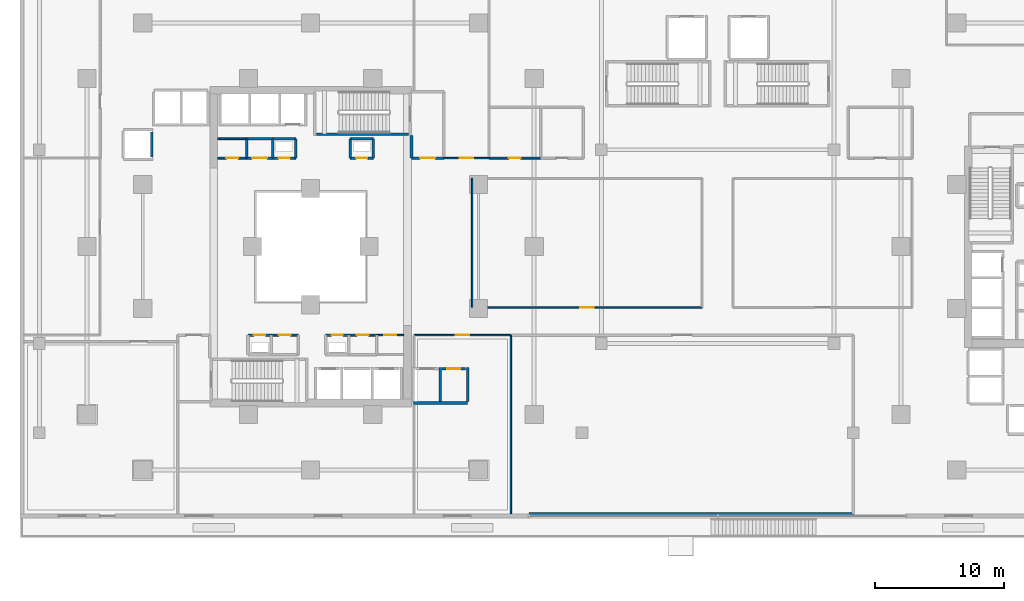
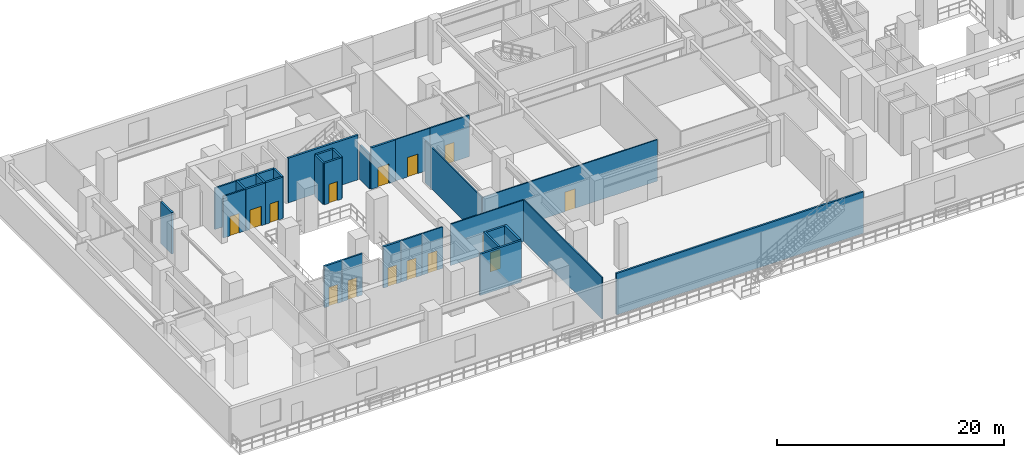
# One storey, part 12 of 22: 33 walls, 15 doors, 15 openings.
"""IFC4 building model written with IfcOpenShell, lengths in metres."""

from ifc_helpers import new_model, si_unit, direction, frame, frame_2d, origin, place, context, subcontext, project, spatial, rectangle, extrude, material, layer, layer_set, type_object, element, fill, save


model = new_model("IFC4")

# Units and contexts
model_context = context("Model", 3, precision=1e-05, world=origin(), true_north=direction((0.0, 1.0)))
body_context = subcontext(model_context, "Body", "Model", "MODEL_VIEW")
ifc_project = project(units=[si_unit("LENGTHUNIT", "METRE"), si_unit("AREAUNIT", "SQUARE_METRE"), si_unit("VOLUMEUNIT", "CUBIC_METRE"), si_unit("PLANEANGLEUNIT", "RADIAN"), si_unit("MASSUNIT", "GRAM", prefix="KILO")], contexts=[model_context])

# Site, building, storey
site_placement = place(None, origin())
site = spatial("IfcSite", under=ifc_project, at=site_placement, CompositionType="ELEMENT")
building_placement = place(site_placement, origin())
building = spatial("IfcBuilding", under=site, at=building_placement, Name="Thornwick Lancets Civic Towers", CompositionType="ELEMENT")
storey_placement = place(building_placement, frame((0.0, 0.0, 4.800048828125)))
storey = spatial("IfcBuildingStorey", under=building, at=storey_placement, Name="L01", CompositionType="ELEMENT", Elevation=4.800048828125)

# Wall, opening, door
ifc_material_1 = material(Name="Concrete blockwork C40/50", Category="masonry")
ifc_layer_1 = layer(ifc_material_1, 0.199951171875, Name="Concrete blockwork C40/50")
ifc_layer_set_1 = layer_set([ifc_layer_1], Name="Concrete blockwork C40/50")
wall_type_1 = type_object("IfcWallType", Name="WALL_COMP_200", PredefinedType="STANDARD", material=ifc_layer_set_1)
wall_1_placement = place(storey_placement, frame((35.679931640625, 17.550048828125, 0.0), z_axis=(0.0, 0.0, 1.0), x_axis=(1.0, 0.0, 0.0)))
wall_1 = element("IfcWall", 1, at=wall_1_placement, inside=storey, type_object=wall_type_1, Name="L01 Hoistway Front Wall PL-AL3", PredefinedType="STANDARD", context=body_context, shape_type="SweptSolid", body=[
    extrude(rectangle(XDim=1.7900390625, YDim=0.199951171875, at=frame_2d((0.89501953125, 0.0))), origin(), (0.0, 0.0, 1.0), 4.4599609375),
])
opening_1_placement = place(wall_1_placement, frame((0.385009765625, 0.0, 0.0)))
opening_1 = element("IfcOpeningElement", 2, at=opening_1_placement, cuts=wall_1, Name="Opening LD-PL-AL3", PredefinedType="OPENING", context=body_context, shape_type="SweptSolid", body=[
    extrude(rectangle(XDim=1.02001953125, YDim=2.06005859375, at=frame_2d((0.510009765625, 1.030029296875))), frame((0.0, 0.10986328125, 0.0), z_axis=(0.0, -1.0, 0.0), x_axis=(1.0, 0.0, 0.0)), (0.0, 0.0, 1.0), 0.219970703125),
])
ifc_material_2 = material(Name="Brushed bronze stainless steel", Category="steel")
door_type_1 = type_object("IfcDoorType", Name="DOOR_LIFT_SLIDE", OperationType="SLIDING_TO_LEFT", PredefinedType="DOOR", material=ifc_material_2)
door_1_placement = place(opening_1_placement, origin())
door_1 = element("IfcDoor", 3, at=door_1_placement, inside=storey, type_object=door_type_1, Name="L01 Sliding Lift Landing Door LD-PL-AL3", OperationType="SLIDING_TO_LEFT", OverallHeight=2.06005859375, OverallWidth=1.02001953125, PredefinedType="DOOR", context=body_context, shape_type="SweptSolid", body=[
    extrude(rectangle(XDim=1.02001953125, YDim=2.06005859375, at=frame_2d((0.510009765625, 1.030029296875))), frame((0.0, 0.02490234375, 0.0), z_axis=(0.0, -1.0, 0.0), x_axis=(1.0, 0.0, 0.0)), (0.0, 0.0, 1.0), 0.050048828125),
])
fill(opening_1, door_1)

# Walls
wall_2_placement = place(storey_placement, frame((13.199951171875, 33.929931640625, 0.0), z_axis=(0.0, 0.0, 1.0), x_axis=(0.0, 1.0, 0.0)))
element("IfcWall", 4, at=wall_2_placement, inside=storey, type_object=wall_type_1, Name="L01 Hoistway Front Wall PL-AM3", PredefinedType="STANDARD", context=body_context, shape_type="SweptSolid", body=[
    extrude(rectangle(XDim=1.940185546875, YDim=0.199951171875, at=frame_2d((0.97021484375, 0.0))), origin(), (0.0, 0.0, 1.0), 4.4599609375),
])
wall_3_placement = place(storey_placement, frame((33.451904296875, 14.89990234375, 0.0), z_axis=(0.0, 0.0, 1.0), x_axis=(1.0, 0.0, 0.0)))
element("IfcWall", 5, at=wall_3_placement, inside=storey, type_object=wall_type_1, Name="L01 Hoistway Shaft Wall PL-AL2 S", PredefinedType="STANDARD", context=body_context, shape_type="SweptSolid", body=[
    extrude(rectangle(XDim=4.196044921875, YDim=0.199951171875, at=frame_2d((2.09814453125, 0.0))), origin(), (0.0, 0.0, 1.0), 4.4599609375),
])
for number, where, z_axis, x_axis, name in (
    (6, (35.52490234375, 15.011962890625, 0.0), (0.0, 0.0, 1.0), (0.0, 1.0, 0.0), "L01 Hoistway Shaft Wall PL-AL2 E"),
    (7, (37.64990234375, 15.011962890625, 0.0), (0.0, 0.0, 1.0), (0.0, 1.0, 0.0), "L01 Hoistway Shaft Wall PL-AL3 E"),
):
    element("IfcWall", number, at=place(storey_placement, frame(where, z_axis=z_axis, x_axis=x_axis)), inside=storey, type_object=wall_type_1, Name=name, PredefinedType="STANDARD", context=body_context, shape_type="SweptSolid", body=[
        extrude(rectangle(XDim=2.635986328125, YDim=0.199951171875, at=frame_2d((1.31787109375, 0.0))), origin(), (0.0, 0.0, 1.0), 4.4599609375),
    ])

# Wall, opening, door
wall_4_placement = place(storey_placement, frame((33.300048828125, 33.85009765625, 0.0), z_axis=(0.0, 0.0, 1.0), x_axis=(1.0, 0.0, 0.0)))
wall_4 = element("IfcWall", 8, at=wall_4_placement, inside=storey, type_object=wall_type_1, Name="L01 Partition L01-A-FFLOB2 E1", PredefinedType="STANDARD", context=body_context, shape_type="SweptSolid", body=[
    extrude(rectangle(XDim=2.5, YDim=0.199951171875, at=frame_2d((1.25, 0.0))), origin(), (0.0, 0.0, 1.0), 4.4599609375),
])
opening_2_placement = place(wall_4_placement, frame((0.675048828125, 0.0, 0.0)))
opening_2 = element("IfcOpeningElement", 9, at=opening_2_placement, cuts=wall_4, Name="Opening D-L01-0095", PredefinedType="OPENING", context=body_context, shape_type="SweptSolid", body=[
    extrude(rectangle(XDim=1.14990234375, YDim=2.10009765625, at=frame_2d((0.574951171875, 1.050048828125))), frame((0.0, 0.10986328125, 0.0), z_axis=(0.0, -1.0, 0.0), x_axis=(1.0, 0.0, 0.0)), (0.0, 0.0, 1.0), 0.219970703125),
])
ifc_material_3 = material(Name="Glazed fire-resisting steel", Category="steel")
door_type_2 = type_object("IfcDoorType", Name="DOOR_LOBBY_FD60", OperationType="NOTDEFINED", PredefinedType="DOOR", material=ifc_material_3)
door_2_placement = place(opening_2_placement, origin())
door_2 = element("IfcDoor", 10, at=door_2_placement, inside=storey, type_object=door_type_2, Name="L01 North Firefighting Lobby 2 Door", OperationType="SINGLE_SWING_RIGHT", OverallHeight=2.10009765625, OverallWidth=1.14990234375, PredefinedType="DOOR", context=body_context, shape_type="SweptSolid", body=[
    extrude(rectangle(XDim=1.14990234375, YDim=2.10009765625, at=frame_2d((0.574951171875, 1.050048828125))), frame((0.0, 0.02490234375, 0.0), z_axis=(0.0, -1.0, 0.0), x_axis=(1.0, 0.0, 0.0)), (0.0, 0.0, 1.0), 0.050048828125),
])
fill(opening_2, door_2)

# Wall
wall_5_placement = place(storey_placement, frame((33.300048828125, 35.60009765625, 0.0), z_axis=(0.0, 0.0, 1.0), x_axis=(0.0, -1.0, 0.0)))
element("IfcWall", 11, at=wall_5_placement, inside=storey, type_object=wall_type_1, Name="L01 Partition L01-A-FFLOB2 E4", PredefinedType="STANDARD", context=body_context, shape_type="SweptSolid", body=[
    extrude(rectangle(XDim=1.75, YDim=0.199951171875, at=frame_2d((0.875, 0.0))), origin(), (0.0, 0.0, 1.0), 3.6650390625),
])

# Wall, opening, door
wall_6_placement = place(storey_placement, frame((28.449951171875, 20.14990234375, 0.0), z_axis=(0.0, 0.0, 1.0), x_axis=(-1.0, 0.0, 0.0)))
wall_6 = element("IfcWall", 12, at=wall_6_placement, inside=storey, type_object=wall_type_1, Name="L01 Partition L01-A-DUCT1 E3", PredefinedType="STANDARD", context=body_context, shape_type="SweptSolid", body=[
    extrude(rectangle(XDim=1.800048828125, YDim=0.199951171875, at=frame_2d((0.89990234375, 0.0))), origin(), (0.0, 0.0, 1.0), 4.4599609375),
])
opening_3_placement = place(wall_6_placement, frame((0.4599609375, 0.0, 0.0)))
opening_3 = element("IfcOpeningElement", 13, at=opening_3_placement, cuts=wall_6, Name="Opening D-L01-0096", PredefinedType="OPENING", context=body_context, shape_type="SweptSolid", body=[
    extrude(rectangle(XDim=0.8798828125, YDim=2.0400390625, at=frame_2d((0.43994140625, 1.02001953125))), frame((0.0, 0.10986328125, 0.0), z_axis=(0.0, -1.0, 0.0), x_axis=(1.0, 0.0, 0.0)), (0.0, 0.0, 1.0), 0.219970703125),
])
ifc_material_4 = material(Name="Steel riser access doorset", Category="steel")
door_type_3 = type_object("IfcDoorType", Name="DOOR_RISER_850", OperationType="NOTDEFINED", PredefinedType="DOOR", material=ifc_material_4)
door_3_placement = place(opening_3_placement, origin())
door_3 = element("IfcDoor", 14, at=door_3_placement, inside=storey, type_object=door_type_3, Name="L01 South Service Duct 1 Door", OperationType="SINGLE_SWING_LEFT", OverallHeight=2.0400390625, OverallWidth=0.8798828125, PredefinedType="DOOR", context=body_context, shape_type="SweptSolid", body=[
    extrude(rectangle(XDim=0.8798828125, YDim=2.0400390625, at=frame_2d((0.43994140625, 1.02001953125))), frame((0.0, 0.02490234375, 0.0), z_axis=(0.0, -1.0, 0.0), x_axis=(1.0, 0.0, 0.0)), (0.0, 0.0, 1.0), 0.050048828125),
])
fill(opening_3, door_3)

wall_7_placement = place(storey_placement, frame((22.449951171875, 20.14990234375, 0.0), z_axis=(0.0, 0.0, 1.0), x_axis=(-1.0, 0.0, 0.0)))
wall_7 = element("IfcWall", 15, at=wall_7_placement, inside=storey, type_object=wall_type_1, Name="L01 Partition L01-A-RISER1 E3", PredefinedType="STANDARD", context=body_context, shape_type="SweptSolid", body=[
    extrude(rectangle(XDim=1.800048828125, YDim=0.199951171875, at=frame_2d((0.89990234375, 0.0))), origin(), (0.0, 0.0, 1.0), 4.4599609375),
])
opening_4_placement = place(wall_7_placement, frame((0.4599609375, 0.0, 0.0)))
opening_4 = element("IfcOpeningElement", 16, at=opening_4_placement, cuts=wall_7, Name="Opening D-L01-0097", PredefinedType="OPENING", context=body_context, shape_type="SweptSolid", body=[
    extrude(rectangle(XDim=0.8798828125, YDim=2.0400390625, at=frame_2d((0.43994140625, 1.02001953125))), frame((0.0, 0.10986328125, 0.0), z_axis=(0.0, -1.0, 0.0), x_axis=(1.0, 0.0, 0.0)), (0.0, 0.0, 1.0), 0.219970703125),
])
door_4_placement = place(opening_4_placement, origin())
door_4 = element("IfcDoor", 17, at=door_4_placement, inside=storey, type_object=door_type_3, Name="L01 South Electrical Riser 1 Door", OperationType="SINGLE_SWING_RIGHT", OverallHeight=2.0400390625, OverallWidth=0.8798828125, PredefinedType="DOOR", context=body_context, shape_type="SweptSolid", body=[
    extrude(rectangle(XDim=0.8798828125, YDim=2.0400390625, at=frame_2d((0.43994140625, 1.02001953125))), frame((0.0, 0.02490234375, 0.0), z_axis=(0.0, -1.0, 0.0), x_axis=(1.0, 0.0, 0.0)), (0.0, 0.0, 1.0), 0.050048828125),
])
fill(opening_4, door_4)

wall_8_placement = place(storey_placement, frame((22.550048828125, 33.85009765625, 0.0), z_axis=(0.0, 0.0, 1.0), x_axis=(1.0, 0.0, 0.0)))
wall_8 = element("IfcWall", 18, at=wall_8_placement, inside=storey, type_object=wall_type_1, Name="L01 Partition L01-A-DUCT2 E1", PredefinedType="STANDARD", context=body_context, shape_type="SweptSolid", body=[
    extrude(rectangle(XDim=1.800048828125, YDim=0.199951171875, at=frame_2d((0.89990234375, 0.0))), origin(), (0.0, 0.0, 1.0), 4.4599609375),
])
opening_5_placement = place(wall_8_placement, frame((0.4599609375, 0.0, 0.0)))
opening_5 = element("IfcOpeningElement", 19, at=opening_5_placement, cuts=wall_8, Name="Opening D-L01-0098", PredefinedType="OPENING", context=body_context, shape_type="SweptSolid", body=[
    extrude(rectangle(XDim=0.8798828125, YDim=2.0400390625, at=frame_2d((0.43994140625, 1.02001953125))), frame((0.0, 0.10986328125, 0.0), z_axis=(0.0, -1.0, 0.0), x_axis=(1.0, 0.0, 0.0)), (0.0, 0.0, 1.0), 0.219970703125),
])
door_5_placement = place(opening_5_placement, origin())
door_5 = element("IfcDoor", 20, at=door_5_placement, inside=storey, type_object=door_type_3, Name="L01 North Service Duct 2 Door", OperationType="SINGLE_SWING_LEFT", OverallHeight=2.0400390625, OverallWidth=0.8798828125, PredefinedType="DOOR", context=body_context, shape_type="SweptSolid", body=[
    extrude(rectangle(XDim=0.8798828125, YDim=2.0400390625, at=frame_2d((0.43994140625, 1.02001953125))), frame((0.0, 0.02490234375, 0.0), z_axis=(0.0, -1.0, 0.0), x_axis=(1.0, 0.0, 0.0)), (0.0, 0.0, 1.0), 0.050048828125),
])
fill(opening_5, door_5)

# Walls
wall_9_placement = place(storey_placement, frame((24.35009765625, 33.85009765625, 0.0), z_axis=(0.0, 0.0, 1.0), x_axis=(0.0, 1.0, 0.0)))
element("IfcWall", 21, at=wall_9_placement, inside=storey, type_object=wall_type_1, Name="L01 Partition L01-A-DUCT2 E2", PredefinedType="STANDARD", context=body_context, shape_type="SweptSolid", body=[
    extrude(rectangle(XDim=1.5, YDim=0.199951171875, at=frame_2d((0.75, 0.0))), origin(), (0.0, 0.0, 1.0), 4.4599609375),
])
wall_10_placement = place(storey_placement, frame((24.35009765625, 35.35009765625, 0.0), z_axis=(0.0, 0.0, 1.0), x_axis=(-1.0, 0.0, 0.0)))
element("IfcWall", 22, at=wall_10_placement, inside=storey, type_object=wall_type_1, Name="L01 Partition L01-A-DUCT2 E3", PredefinedType="STANDARD", context=body_context, shape_type="SweptSolid", body=[
    extrude(rectangle(XDim=1.800048828125, YDim=0.199951171875, at=frame_2d((0.89990234375, 0.0))), origin(), (0.0, 0.0, 1.0), 4.4599609375),
])
wall_11_placement = place(storey_placement, frame((22.550048828125, 35.35009765625, 0.0), z_axis=(0.0, 0.0, 1.0), x_axis=(0.0, -1.0, 0.0)))
element("IfcWall", 23, at=wall_11_placement, inside=storey, type_object=wall_type_1, Name="L01 Partition L01-A-DUCT2 E4", PredefinedType="STANDARD", context=body_context, shape_type="SweptSolid", body=[
    extrude(rectangle(XDim=1.5, YDim=0.199951171875, at=frame_2d((0.75, 0.0))), origin(), (0.0, 0.0, 1.0), 4.4599609375),
])

# Wall, opening, door
wall_12_placement = place(storey_placement, frame((28.550048828125, 33.85009765625, 0.0), z_axis=(0.0, 0.0, 1.0), x_axis=(1.0, 0.0, 0.0)))
wall_12 = element("IfcWall", 24, at=wall_12_placement, inside=storey, type_object=wall_type_1, Name="L01 Partition L01-A-RISER2 E1", PredefinedType="STANDARD", context=body_context, shape_type="SweptSolid", body=[
    extrude(rectangle(XDim=1.800048828125, YDim=0.199951171875, at=frame_2d((0.89990234375, 0.0))), origin(), (0.0, 0.0, 1.0), 4.4599609375),
])
opening_6_placement = place(wall_12_placement, frame((0.4599609375, 0.0, 0.0)))
opening_6 = element("IfcOpeningElement", 25, at=opening_6_placement, cuts=wall_12, Name="Opening D-L01-0099", PredefinedType="OPENING", context=body_context, shape_type="SweptSolid", body=[
    extrude(rectangle(XDim=0.8798828125, YDim=2.0400390625, at=frame_2d((0.43994140625, 1.02001953125))), frame((0.0, 0.10986328125, 0.0), z_axis=(0.0, -1.0, 0.0), x_axis=(1.0, 0.0, 0.0)), (0.0, 0.0, 1.0), 0.219970703125),
])
door_6_placement = place(opening_6_placement, origin())
door_6 = element("IfcDoor", 26, at=door_6_placement, inside=storey, type_object=door_type_3, Name="L01 North Service Riser 2 Door", OperationType="SINGLE_SWING_RIGHT", OverallHeight=2.0400390625, OverallWidth=0.8798828125, PredefinedType="DOOR", context=body_context, shape_type="SweptSolid", body=[
    extrude(rectangle(XDim=0.8798828125, YDim=2.0400390625, at=frame_2d((0.43994140625, 1.02001953125))), frame((0.0, 0.02490234375, 0.0), z_axis=(0.0, -1.0, 0.0), x_axis=(1.0, 0.0, 0.0)), (0.0, 0.0, 1.0), 0.050048828125),
])
fill(opening_6, door_6)

# Walls
wall_13_placement = place(storey_placement, frame((30.35009765625, 33.85009765625, 0.0), z_axis=(0.0, 0.0, 1.0), x_axis=(0.0, 1.0, 0.0)))
element("IfcWall", 27, at=wall_13_placement, inside=storey, type_object=wall_type_1, Name="L01 Partition L01-A-RISER2 E2", PredefinedType="STANDARD", context=body_context, shape_type="SweptSolid", body=[
    extrude(rectangle(XDim=1.5, YDim=0.199951171875, at=frame_2d((0.75, 0.0))), origin(), (0.0, 0.0, 1.0), 4.4599609375),
])
wall_14_placement = place(storey_placement, frame((30.35009765625, 35.35009765625, 0.0), z_axis=(0.0, 0.0, 1.0), x_axis=(-1.0, 0.0, 0.0)))
element("IfcWall", 28, at=wall_14_placement, inside=storey, type_object=wall_type_1, Name="L01 Partition L01-A-RISER2 E3", PredefinedType="STANDARD", context=body_context, shape_type="SweptSolid", body=[
    extrude(rectangle(XDim=1.800048828125, YDim=0.199951171875, at=frame_2d((0.89990234375, 0.0))), origin(), (0.0, 0.0, 1.0), 4.4599609375),
])
for number, where, z_axis, x_axis, name in (
    (29, (28.550048828125, 35.35009765625, 0.0), (0.0, 0.0, 1.0), (0.0, -1.0, 0.0), "L01 Partition L01-A-RISER2 E4"),
    (30, (20.550048828125, 33.85009765625, 0.0), (0.0, 0.0, 1.0), (0.0, 1.0, 0.0), "L01 Partition L01-A-STR E1"),
):
    element("IfcWall", number, at=place(storey_placement, frame(where, z_axis=z_axis, x_axis=x_axis)), inside=storey, type_object=wall_type_1, Name=name, PredefinedType="STANDARD", context=body_context, shape_type="SweptSolid", body=[
        extrude(rectangle(XDim=1.5, YDim=0.199951171875, at=frame_2d((0.75, 0.0))), origin(), (0.0, 0.0, 1.0), 4.4599609375),
    ])
wall_15_placement = place(storey_placement, frame((20.550048828125, 35.35009765625, 0.0), z_axis=(0.0, 0.0, 1.0), x_axis=(1.0, 0.0, 0.0)))
element("IfcWall", 31, at=wall_15_placement, inside=storey, type_object=wall_type_1, Name="L01 Partition L01-A-STR E2", PredefinedType="STANDARD", context=body_context, shape_type="SweptSolid", body=[
    extrude(rectangle(XDim=2.0, YDim=0.199951171875, at=frame_2d((1.0, 0.0))), origin(), (0.0, 0.0, 1.0), 4.4599609375),
])

# Wall, opening, door
wall_16_placement = place(storey_placement, frame((22.550048828125, 33.85009765625, 0.0), z_axis=(0.0, 0.0, 1.0), x_axis=(-1.0, 0.0, 0.0)))
wall_16 = element("IfcWall", 32, at=wall_16_placement, inside=storey, type_object=wall_type_1, Name="L01 Partition L01-A-STR E4", PredefinedType="STANDARD", context=body_context, shape_type="SweptSolid", body=[
    extrude(rectangle(XDim=2.0, YDim=0.199951171875, at=frame_2d((1.0, 0.0))), origin(), (0.0, 0.0, 1.0), 4.4599609375),
])
opening_7_placement = place(wall_16_placement, frame((0.425048828125, 0.0, 0.0)))
opening_7 = element("IfcOpeningElement", 33, at=opening_7_placement, cuts=wall_16, Name="Opening D-L01-0104", PredefinedType="OPENING", context=body_context, shape_type="SweptSolid", body=[
    extrude(rectangle(XDim=1.14990234375, YDim=2.10009765625, at=frame_2d((0.574951171875, 1.050048828125))), frame((0.0, 0.10986328125, 0.0), z_axis=(0.0, -1.0, 0.0), x_axis=(1.0, 0.0, 0.0)), (0.0, 0.0, 1.0), 0.219970703125),
])
door_7_placement = place(opening_7_placement, origin())
door_7 = element("IfcDoor", 34, at=door_7_placement, inside=storey, type_object=door_type_2, Name="L01 Tower A Core Records Store Door", OperationType="SINGLE_SWING_LEFT", OverallHeight=2.10009765625, OverallWidth=1.14990234375, PredefinedType="DOOR", context=body_context, shape_type="SweptSolid", body=[
    extrude(rectangle(XDim=1.14990234375, YDim=2.10009765625, at=frame_2d((0.574951171875, 1.050048828125))), frame((0.0, 0.02490234375, 0.0), z_axis=(0.0, -1.0, 0.0), x_axis=(1.0, 0.0, 0.0)), (0.0, 0.0, 1.0), 0.050048828125),
])
fill(opening_7, door_7)

ifc_material_5 = material(Name="Acoustic gypsum board partition")
ifc_layer_2 = layer(ifc_material_5, 0.1201171875, Name="Acoustic gypsum board partition")
ifc_layer_set_2 = layer_set([ifc_layer_2], Name="Acoustic gypsum board partition")
wall_type_2 = type_object("IfcWallType", Name="WALL_PART_120", PredefinedType="PARTITIONING", material=ifc_layer_set_2)
wall_17_placement = place(storey_placement, frame((30.60009765625, 20.14990234375, 0.0), z_axis=(0.0, 0.0, 1.0), x_axis=(1.0, 0.0, 0.0)))
wall_17 = element("IfcWall", 35, at=wall_17_placement, inside=storey, type_object=wall_type_2, Name="L01 Partition L01-A-ITR E4", PredefinedType="PARTITIONING", context=body_context, shape_type="SweptSolid", body=[
    extrude(rectangle(XDim=2.099853515625, YDim=0.1201171875, at=frame_2d((1.0498046875, 0.0))), origin(), (0.0, 0.0, 1.0), 4.4599609375),
])
opening_8_placement = place(wall_17_placement, frame((0.574951171875, 0.0, 0.0)))
opening_8 = element("IfcOpeningElement", 36, at=opening_8_placement, cuts=wall_17, Name="Opening D-L01-0102", PredefinedType="OPENING", context=body_context, shape_type="SweptSolid", body=[
    extrude(rectangle(XDim=0.949951171875, YDim=2.10009765625, at=frame_2d((0.47509765625, 1.050048828125))), frame((0.0, 0.070068359375, 0.0), z_axis=(0.0, -1.0, 0.0), x_axis=(1.0, 0.0, 0.0)), (0.0, 0.0, 1.0), 0.14013671875),
])
ifc_material_6 = material(Name="European oak acoustic doorset")
door_type_4 = type_object("IfcDoorType", Name="DOOR_OFFICE_950", OperationType="NOTDEFINED", PredefinedType="DOOR", material=ifc_material_6)
door_8_placement = place(opening_8_placement, origin())
door_8 = element("IfcDoor", 37, at=door_8_placement, inside=storey, type_object=door_type_4, Name="L01 Tower A Comms Patch Room Door", OperationType="SINGLE_SWING_LEFT", OverallHeight=2.10009765625, OverallWidth=0.949951171875, PredefinedType="DOOR", context=body_context, shape_type="SweptSolid", body=[
    extrude(rectangle(XDim=0.949951171875, YDim=2.10009765625, at=frame_2d((0.47509765625, 1.050048828125))), frame((0.0, 0.02490234375, 0.0), z_axis=(0.0, -1.0, 0.0), x_axis=(1.0, 0.0, 0.0)), (0.0, 0.0, 1.0), 0.050048828125),
])
fill(opening_8, door_8)

wall_18_placement = place(storey_placement, frame((33.5, 20.14990234375, 0.0), z_axis=(0.0, 0.0, 1.0), x_axis=(1.0, 0.0, 0.0)))
wall_18 = element("IfcWall", 38, at=wall_18_placement, inside=storey, type_object=wall_type_2, Name="L01 Partition L01-GALL E3", PredefinedType="PARTITIONING", context=body_context, shape_type="SweptSolid", body=[
    extrude(rectangle(XDim=7.5, YDim=0.1201171875, at=frame_2d((3.75, 0.0))), origin(), (0.0, 0.0, 1.0), 4.4599609375),
])
opening_9_placement = place(wall_18_placement, frame((3.22509765625, 0.0, 0.0)))
opening_9 = element("IfcOpeningElement", 39, at=opening_9_placement, cuts=wall_18, Name="Opening D-L01-0120", PredefinedType="OPENING", context=body_context, shape_type="SweptSolid", body=[
    extrude(rectangle(XDim=1.050048828125, YDim=2.10009765625, at=frame_2d((0.52490234375, 1.050048828125))), frame((0.0, 0.070068359375, 0.0), z_axis=(0.0, -1.0, 0.0), x_axis=(1.0, 0.0, 0.0)), (0.0, 0.0, 1.0), 0.14013671875),
])
ifc_material_7 = material(Name="Glazed European oak executive doorset")
door_type_5 = type_object("IfcDoorType", Name="DOOR_OFFICE_1050", OperationType="NOTDEFINED", PredefinedType="DOOR", material=ifc_material_7)
door_9_placement = place(opening_9_placement, origin())
door_9 = element("IfcDoor", 40, at=door_9_placement, inside=storey, type_object=door_type_5, Name="Public Debating Gallery Reception Door", OperationType="SINGLE_SWING_LEFT", OverallHeight=2.10009765625, OverallWidth=1.050048828125, PredefinedType="DOOR", context=body_context, shape_type="SweptSolid", body=[
    extrude(rectangle(XDim=1.050048828125, YDim=2.10009765625, at=frame_2d((0.52490234375, 1.050048828125))), frame((0.0, 0.02490234375, 0.0), z_axis=(0.0, -1.0, 0.0), x_axis=(1.0, 0.0, 0.0)), (0.0, 0.0, 1.0), 0.050048828125),
])
fill(opening_9, door_9)

# Wall
wall_19_placement = place(storey_placement, frame((41.0, 20.14990234375, 0.0), z_axis=(0.0, 0.0, 1.0), x_axis=(0.0, -1.0, 0.0)))
element("IfcWall", 41, at=wall_19_placement, inside=storey, type_object=wall_type_2, Name="L01 Partition L01-GALL E4", PredefinedType="PARTITIONING", context=body_context, shape_type="SweptSolid", body=[
    extrude(rectangle(XDim=13.829833984375, YDim=0.1201171875, at=frame_2d((6.9150390625, 0.0))), origin(), (0.0, 0.0, 1.0), 4.4599609375),
])

# Wall, opening, door
wall_20_placement = place(storey_placement, frame((55.800048828125, 22.300048828125, 0.0), z_axis=(0.0, 0.0, 1.0), x_axis=(-1.0, 0.0, 0.0)))
wall_20 = element("IfcWall", 42, at=wall_20_placement, inside=storey, type_object=wall_type_2, Name="L01 Partition L01-WHIP E1", PredefinedType="PARTITIONING", context=body_context, shape_type="SweptSolid", body=[
    extrude(rectangle(XDim=17.800048828125, YDim=0.1201171875, at=frame_2d((8.89990234375, 0.0))), origin(), (0.0, 0.0, 1.0), 4.4599609375),
])
opening_10_placement = place(wall_20_placement, frame((8.375, 0.0, 0.0)))
opening_10 = element("IfcOpeningElement", 43, at=opening_10_placement, cuts=wall_20, Name="Opening D-L01-0125", PredefinedType="OPENING", context=body_context, shape_type="SweptSolid", body=[
    extrude(rectangle(XDim=1.050048828125, YDim=2.10009765625, at=frame_2d((0.52490234375, 1.050048828125))), frame((0.0, 0.070068359375, 0.0), z_axis=(0.0, -1.0, 0.0), x_axis=(1.0, 0.0, 0.0)), (0.0, 0.0, 1.0), 0.14013671875),
])
door_10_placement = place(opening_10_placement, origin())
door_10 = element("IfcDoor", 44, at=door_10_placement, inside=storey, type_object=door_type_5, Name="Parliamentary Clerk Office Door", OperationType="SINGLE_SWING_RIGHT", OverallHeight=2.10009765625, OverallWidth=1.050048828125, PredefinedType="DOOR", context=body_context, shape_type="SweptSolid", body=[
    extrude(rectangle(XDim=1.050048828125, YDim=2.10009765625, at=frame_2d((0.52490234375, 1.050048828125))), frame((0.0, 0.02490234375, 0.0), z_axis=(0.0, -1.0, 0.0), x_axis=(1.0, 0.0, 0.0)), (0.0, 0.0, 1.0), 0.050048828125),
])
fill(opening_10, door_10)

# Wall
wall_21_placement = place(storey_placement, frame((38.0, 22.300048828125, 0.0), z_axis=(0.0, 0.0, 1.0), x_axis=(0.0, 1.0, 0.0)))
element("IfcWall", 45, at=wall_21_placement, inside=storey, type_object=wall_type_2, Name="L01 Partition L01-WHIP E2", PredefinedType="PARTITIONING", context=body_context, shape_type="SweptSolid", body=[
    extrude(rectangle(XDim=9.97998046875, YDim=0.1201171875, at=frame_2d((4.989990234375, 0.0))), origin(), (0.0, 0.0, 1.0), 4.4599609375),
])

# Wall, opening, door
wall_22_placement = place(storey_placement, frame((39.300048828125, 33.85009765625, 0.0), z_axis=(0.0, 0.0, 1.0), x_axis=(-1.0, 0.0, 0.0)))
wall_22 = element("IfcWall", 46, at=wall_22_placement, inside=storey, type_object=wall_type_2, Name="L01 Partition L01-TRNW E7", PredefinedType="PARTITIONING", context=body_context, shape_type="SweptSolid", body=[
    extrude(rectangle(XDim=3.5, YDim=0.1201171875, at=frame_2d((1.75, 0.0))), origin(), (0.0, 0.0, 1.0), 4.4599609375),
])
opening_11_placement = place(wall_22_placement, frame((1.22509765625, 0.0, 0.0)))
opening_11 = element("IfcOpeningElement", 47, at=opening_11_placement, cuts=wall_22, Name="Opening D-L01-0129", PredefinedType="OPENING", context=body_context, shape_type="SweptSolid", body=[
    extrude(rectangle(XDim=1.050048828125, YDim=2.10009765625, at=frame_2d((0.52490234375, 1.050048828125))), frame((0.0, 0.070068359375, 0.0), z_axis=(0.0, -1.0, 0.0), x_axis=(1.0, 0.0, 0.0)), (0.0, 0.0, 1.0), 0.14013671875),
])
door_11_placement = place(opening_11_placement, origin())
door_11 = element("IfcDoor", 48, at=door_11_placement, inside=storey, type_object=door_type_5, Name="Civic Digital Broadcast Studio Door", OperationType="SINGLE_SWING_RIGHT", OverallHeight=2.10009765625, OverallWidth=1.050048828125, PredefinedType="DOOR", context=body_context, shape_type="SweptSolid", body=[
    extrude(rectangle(XDim=1.050048828125, YDim=2.10009765625, at=frame_2d((0.52490234375, 1.050048828125))), frame((0.0, 0.02490234375, 0.0), z_axis=(0.0, -1.0, 0.0), x_axis=(1.0, 0.0, 0.0)), (0.0, 0.0, 1.0), 0.050048828125),
])
fill(opening_11, door_11)

ifc_material_8 = material(Name="Twin-stud acoustic gypsum board")
ifc_layer_3 = layer(ifc_material_8, 0.14990234375, Name="Twin-stud acoustic gypsum board")
ifc_layer_set_3 = layer_set([ifc_layer_3], Name="Twin-stud acoustic gypsum board")
wall_type_3 = type_object("IfcWallType", Name="WALL_PART_150", PredefinedType="PARTITIONING", material=ifc_layer_set_3)
wall_23_placement = place(storey_placement, frame((22.449951171875, 20.14990234375, 0.0), z_axis=(0.0, 0.0, 1.0), x_axis=(1.0, 0.0, 0.0)))
wall_23 = element("IfcWall", 49, at=wall_23_placement, inside=storey, type_object=wall_type_3, Name="L01 Partition L01-A-MWC E4", PredefinedType="PARTITIONING", context=body_context, shape_type="SweptSolid", body=[
    extrude(rectangle(XDim=2.10009765625, YDim=0.14990234375, at=frame_2d((1.050048828125, 0.0))), origin(), (0.0, 0.0, 1.0), 4.4599609375),
])
opening_12_placement = place(wall_23_placement, frame((0.590087890625, 0.0, 0.0)))
opening_12 = element("IfcOpeningElement", 50, at=opening_12_placement, cuts=wall_23, Name="Opening D-L01-0100", PredefinedType="OPENING", context=body_context, shape_type="SweptSolid", body=[
    extrude(rectangle(XDim=0.919921875, YDim=2.080078125, at=frame_2d((0.4599609375, 1.0400390625))), frame((0.0, 0.0849609375, 0.0), z_axis=(0.0, -1.0, 0.0), x_axis=(1.0, 0.0, 0.0)), (0.0, 0.0, 1.0), 0.169921875),
])
ifc_material_9 = material(Name="Moisture-resistant oak doorset")
door_type_6 = type_object("IfcDoorType", Name="DOOR_WC_900", OperationType="NOTDEFINED", PredefinedType="DOOR", material=ifc_material_9)
door_12_placement = place(opening_12_placement, origin())
door_12 = element("IfcDoor", 51, at=door_12_placement, inside=storey, type_object=door_type_6, Name="L01 Tower A Male WC Door", OperationType="SINGLE_SWING_LEFT", OverallHeight=2.080078125, OverallWidth=0.919921875, PredefinedType="DOOR", context=body_context, shape_type="SweptSolid", body=[
    extrude(rectangle(XDim=0.919921875, YDim=2.080078125, at=frame_2d((0.4599609375, 1.0400390625))), frame((0.0, 0.02490234375, 0.0), z_axis=(0.0, -1.0, 0.0), x_axis=(1.0, 0.0, 0.0)), (0.0, 0.0, 1.0), 0.050048828125),
])
fill(opening_12, door_12)

wall_24_placement = place(storey_placement, frame((28.449951171875, 20.14990234375, 0.0), z_axis=(0.0, 0.0, 1.0), x_axis=(1.0, 0.0, 0.0)))
wall_24 = element("IfcWall", 52, at=wall_24_placement, inside=storey, type_object=wall_type_3, Name="L01 Partition L01-A-FWC E4", PredefinedType="PARTITIONING", context=body_context, shape_type="SweptSolid", body=[
    extrude(rectangle(XDim=2.150146484375, YDim=0.14990234375, at=frame_2d((1.0751953125, 0.0))), origin(), (0.0, 0.0, 1.0), 4.4599609375),
])
opening_13_placement = place(wall_24_placement, frame((0.614990234375, 0.0, 0.0)))
opening_13 = element("IfcOpeningElement", 53, at=opening_13_placement, cuts=wall_24, Name="Opening D-L01-0101", PredefinedType="OPENING", context=body_context, shape_type="SweptSolid", body=[
    extrude(rectangle(XDim=0.919921875, YDim=2.080078125, at=frame_2d((0.4599609375, 1.0400390625))), frame((0.0, 0.0849609375, 0.0), z_axis=(0.0, -1.0, 0.0), x_axis=(1.0, 0.0, 0.0)), (0.0, 0.0, 1.0), 0.169921875),
])
door_13_placement = place(opening_13_placement, origin())
door_13 = element("IfcDoor", 54, at=door_13_placement, inside=storey, type_object=door_type_6, Name="L01 Tower A Female WC Door", OperationType="SINGLE_SWING_RIGHT", OverallHeight=2.080078125, OverallWidth=0.919921875, PredefinedType="DOOR", context=body_context, shape_type="SweptSolid", body=[
    extrude(rectangle(XDim=0.919921875, YDim=2.080078125, at=frame_2d((0.4599609375, 1.0400390625))), frame((0.0, 0.02490234375, 0.0), z_axis=(0.0, -1.0, 0.0), x_axis=(1.0, 0.0, 0.0)), (0.0, 0.0, 1.0), 0.050048828125),
])
fill(opening_13, door_13)

wall_25_placement = place(storey_placement, frame((18.300048828125, 33.85009765625, 0.0), z_axis=(0.0, 0.0, 1.0), x_axis=(1.0, 0.0, 0.0)))
wall_25 = element("IfcWall", 55, at=wall_25_placement, inside=storey, type_object=wall_type_3, Name="L01 Partition L01-A-AWC E1", PredefinedType="PARTITIONING", context=body_context, shape_type="SweptSolid", body=[
    extrude(rectangle(XDim=2.25, YDim=0.14990234375, at=frame_2d((1.125, 0.0))), origin(), (0.0, 0.0, 1.0), 4.4599609375),
])
opening_14_placement = place(wall_25_placement, frame((0.6650390625, 0.0, 0.0)))
opening_14 = element("IfcOpeningElement", 56, at=opening_14_placement, cuts=wall_25, Name="Opening D-L01-0103", PredefinedType="OPENING", context=body_context, shape_type="SweptSolid", body=[
    extrude(rectangle(XDim=0.919921875, YDim=2.080078125, at=frame_2d((0.4599609375, 1.0400390625))), frame((0.0, 0.0849609375, 0.0), z_axis=(0.0, -1.0, 0.0), x_axis=(1.0, 0.0, 0.0)), (0.0, 0.0, 1.0), 0.169921875),
])
door_14_placement = place(opening_14_placement, origin())
door_14 = element("IfcDoor", 57, at=door_14_placement, inside=storey, type_object=door_type_6, Name="L01 Tower A Accessible WC Door", OperationType="SINGLE_SWING_RIGHT", OverallHeight=2.080078125, OverallWidth=0.919921875, PredefinedType="DOOR", context=body_context, shape_type="SweptSolid", body=[
    extrude(rectangle(XDim=0.919921875, YDim=2.080078125, at=frame_2d((0.4599609375, 1.0400390625))), frame((0.0, 0.02490234375, 0.0), z_axis=(0.0, -1.0, 0.0), x_axis=(1.0, 0.0, 0.0)), (0.0, 0.0, 1.0), 0.050048828125),
])
fill(opening_14, door_14)

# Wall
wall_26_placement = place(storey_placement, frame((20.550048828125, 35.35009765625, 0.0), z_axis=(0.0, 0.0, 1.0), x_axis=(-1.0, 0.0, 0.0)))
element("IfcWall", 58, at=wall_26_placement, inside=storey, type_object=wall_type_3, Name="L01 Partition L01-A-AWC E3", PredefinedType="PARTITIONING", context=body_context, shape_type="SweptSolid", body=[
    extrude(rectangle(XDim=2.25, YDim=0.14990234375, at=frame_2d((1.125, 0.0))), origin(), (0.0, 0.0, 1.0), 4.4599609375),
])

# Wall, opening, door
wall_27_placement = place(storey_placement, frame((39.300048828125, 33.85009765625, 0.0), z_axis=(0.0, 0.0, 1.0), x_axis=(1.0, 0.0, 0.0)))
wall_27 = element("IfcWall", 59, at=wall_27_placement, inside=storey, type_object=wall_type_3, Name="L01 Partition L01-POD-MWC E1", PredefinedType="PARTITIONING", context=body_context, shape_type="SweptSolid", body=[
    extrude(rectangle(XDim=4.0, YDim=0.14990234375, at=frame_2d((2.0, 0.0))), origin(), (0.0, 0.0, 1.0), 4.4599609375),
])
opening_15_placement = place(wall_27_placement, frame((1.5400390625, 0.0, 0.0)))
opening_15 = element("IfcOpeningElement", 60, at=opening_15_placement, cuts=wall_27, Name="Opening D-L01-0116", PredefinedType="OPENING", context=body_context, shape_type="SweptSolid", body=[
    extrude(rectangle(XDim=0.919921875, YDim=2.080078125, at=frame_2d((0.4599609375, 1.0400390625))), frame((0.0, 0.0849609375, 0.0), z_axis=(0.0, -1.0, 0.0), x_axis=(1.0, 0.0, 0.0)), (0.0, 0.0, 1.0), 0.169921875),
])
door_15_placement = place(opening_15_placement, origin())
door_15 = element("IfcDoor", 61, at=door_15_placement, inside=storey, type_object=door_type_6, Name="L01 Podium Public Male WC Door", OperationType="SINGLE_SWING_LEFT", OverallHeight=2.080078125, OverallWidth=0.919921875, PredefinedType="DOOR", context=body_context, shape_type="SweptSolid", body=[
    extrude(rectangle(XDim=0.919921875, YDim=2.080078125, at=frame_2d((0.4599609375, 1.0400390625))), frame((0.0, 0.02490234375, 0.0), z_axis=(0.0, -1.0, 0.0), x_axis=(1.0, 0.0, 0.0)), (0.0, 0.0, 1.0), 0.050048828125),
])
fill(opening_15, door_15)

# Walls
ifc_material_10 = material(Name="High-isolation twin-stud acoustic gypsum")
ifc_layer_4 = layer(ifc_material_10, 0.179931640625, Name="High-isolation twin-stud acoustic gypsum")
ifc_layer_set_4 = layer_set([ifc_layer_4], Name="High-isolation twin-stud acoustic gypsum")
wall_type_4 = type_object("IfcWallType", Name="WALL_PART_180", PredefinedType="PARTITIONING", material=ifc_layer_set_4)
wall_28_placement = place(storey_placement, frame((67.5, 6.320068359375, 0.0), z_axis=(0.0, 0.0, 1.0), x_axis=(-1.0, 0.0, 0.0)))
element("IfcWall", 62, at=wall_28_placement, inside=storey, type_object=wall_type_4, Name="L01 Partition L01-CHAMB E1", PredefinedType="PARTITIONING", context=body_context, shape_type="SweptSolid", body=[
    extrude(rectangle(XDim=25.10009765625, YDim=0.179931640625, at=frame_2d((12.550048828125, 0.0))), origin(), (0.0, 0.0, 1.0), 4.4599609375),
])
ifc_material_11 = material(Name="Concrete C40/50", Category="concrete")
ifc_layer_5 = layer(ifc_material_11, 0.199951171875, Name="Concrete C40/50")
ifc_layer_set_5 = layer_set([ifc_layer_5], Name="Concrete C40/50")
wall_type_5 = type_object("IfcWallType", Name="WALL_SHAFT_200", PredefinedType="SHEAR", material=ifc_layer_set_5)
wall_29_placement = place(storey_placement, frame((25.949951171875, 35.702880859375, 0.0), z_axis=(0.0, 0.0, 1.0), x_axis=(1.0, 0.0, 0.0)))
element("IfcWall", 63, at=wall_29_placement, inside=storey, type_object=wall_type_5, Name="L01 ST-A2 Fire Stair Core Wall RIGHT", PredefinedType="SHEAR", context=body_context, shape_type="SweptSolid", body=[
    extrude(rectangle(XDim=7.10009765625, YDim=0.199951171875, at=frame_2d((3.550048828125, 0.0))), origin(), (0.0, 0.0, 1.0), 4.800048828125),
])

save(model, "model.ifc")
